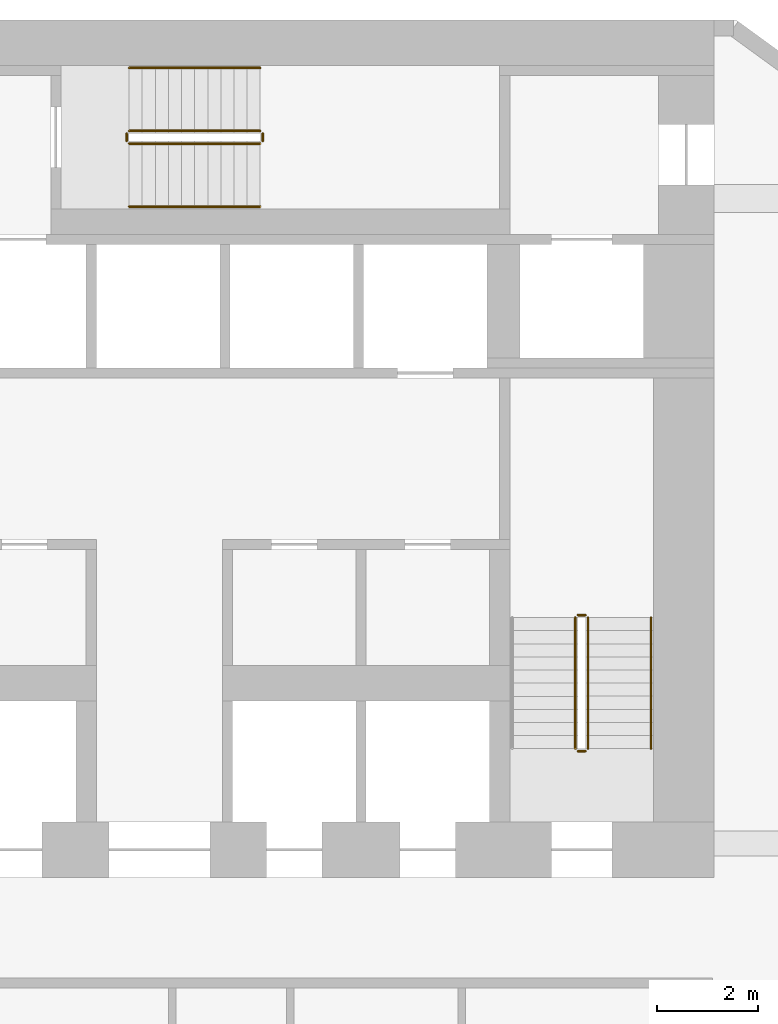
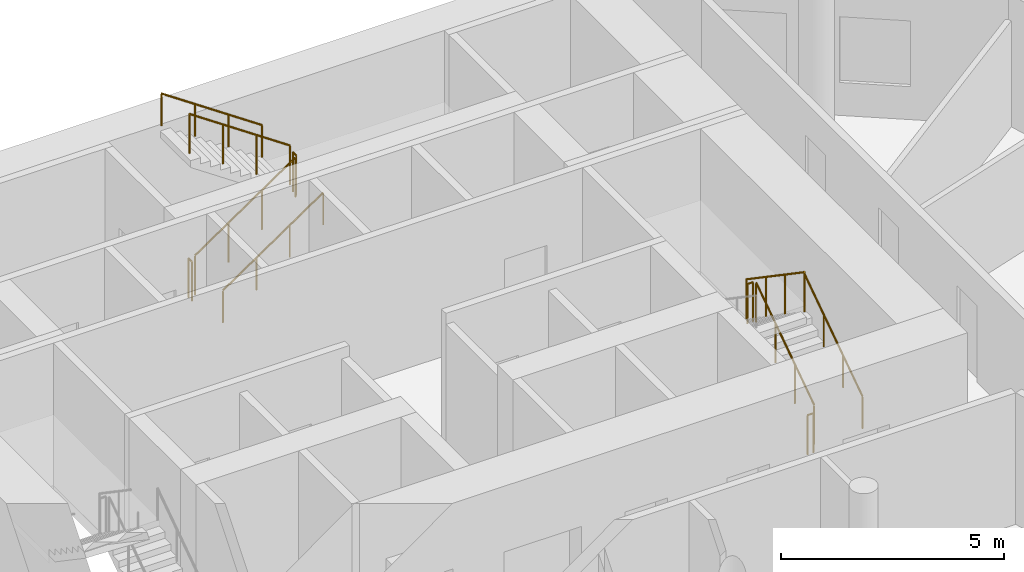
# One storey, part 9 of 9: 11 railings.
"""IFC4 building model written with IfcOpenShell, lengths in metres."""

import ifcopenshell
import ifcopenshell.guid

model = None  # the IFC model being written
_history = None  # IfcOwnerHistory: only IFC2X3 demands one
_inside = {}  # id of a spatial element -> (the spatial element, [elements in it])
_under = {}  # id of a project, library or spatial element -> (it, [spatial elements below it])
_declared = {}  # id of a project -> (the project, [libraries it declares])
_typed = {}  # id of a type object -> (the type object, [elements of that type])
_made_of = {}  # id of a material, layer set ... -> (it, [elements and type objects made of it])


def new_model(schema):
    """Start an empty IFC model of exactly this schema.

    Asked for "IFC4X3", IfcOpenShell would pick the latest addendum, in which some entities
    have other attributes; the version numbers below select the first issue.
    IFC2X3 requires an IfcOwnerHistory on every rooted entity: one is made here for all.
    """
    global model, _history
    if schema == "IFC4X3":
        model = ifcopenshell.file(schema_version=(4, 3, 0, 0))
    else:
        model = ifcopenshell.file(schema=schema)
    _inside.clear()
    _under.clear()
    _declared.clear()
    _typed.clear()
    _made_of.clear()
    _history = None
    if model.schema == "IFC2X3":
        org = make("IfcOrganization", Name="unknown")
        user = make(
            "IfcPersonAndOrganization",
            ThePerson=make("IfcPerson", FamilyName="unknown"),
            TheOrganization=org,
        )
        app = make(
            "IfcApplication",
            ApplicationDeveloper=org,
            Version="unknown",
            ApplicationFullName="unknown",
            ApplicationIdentifier="unknown",
        )
        _history = make(
            "IfcOwnerHistory",
            OwningUser=user,
            OwningApplication=app,
            ChangeAction="ADDED",
            CreationDate=0,
        )
    return model


def make(cls, **values):
    """One entity of the class cls with the attributes given. An attribute that is None is left unset."""
    return model.create_entity(
        cls, **{name: value for name, value in values.items() if value is not None}
    )


def rooted(cls, **values):
    """An entity with a GlobalId (a new one), such as an element, a storey or a relation."""
    return make(cls, GlobalId=ifcopenshell.guid.new(), OwnerHistory=_history, **values)


def si_unit(unit_type, name, prefix=None):
    """IfcSIUnit, for example si_unit("LENGTHUNIT", "METRE", prefix="MILLI")."""
    return make("IfcSIUnit", UnitType=unit_type, Prefix=prefix, Name=name)


def assignment(units):
    """IfcUnitAssignment: the units of a project."""
    return None if units is None else make("IfcUnitAssignment", Units=units)


def point(xyz):
    """IfcCartesianPoint."""
    return None if xyz is None else make("IfcCartesianPoint", Coordinates=xyz)


def direction(xyz):
    """IfcDirection."""
    return None if xyz is None else make("IfcDirection", DirectionRatios=xyz)


def frame(location, z_axis=None, x_axis=None):
    """IfcAxis2Placement3D, a coordinate frame: its origin and axes. An axis left out is left unset."""
    return make(
        "IfcAxis2Placement3D",
        Location=point(location),
        Axis=direction(z_axis),
        RefDirection=direction(x_axis),
    )


def frame_2d(location, x_axis=None):
    """IfcAxis2Placement2D, a coordinate frame in the plane: its origin and x axis."""
    return make(
        "IfcAxis2Placement2D", Location=point(location), RefDirection=direction(x_axis)
    )


def origin():
    """The frame at (0, 0, 0) with its axes left unset."""
    return frame((0.0, 0.0, 0.0))


def origin_2d():
    """The frame at (0, 0) in the plane with its x axis left unset."""
    return frame_2d((0.0, 0.0))


def place(relative_to, where):
    """IfcLocalPlacement: puts the frame where relative to a parent placement (None: the world)."""
    return make(
        "IfcLocalPlacement", PlacementRelTo=relative_to, RelativePlacement=where
    )


def context(
    kind, dimensions, precision=None, world=None, true_north=None, identifier=None
):
    """IfcGeometricRepresentationContext, for example the 3D "Model" context."""
    return make(
        "IfcGeometricRepresentationContext",
        ContextIdentifier=identifier,
        ContextType=kind,
        CoordinateSpaceDimension=dimensions,
        Precision=precision,
        WorldCoordinateSystem=world,
        TrueNorth=true_north,
    )


def subcontext(parent, identifier, kind, view, scale=None):
    """IfcGeometricRepresentationSubContext, for example "Body" below "Model"."""
    return make(
        "IfcGeometricRepresentationSubContext",
        ContextIdentifier=identifier,
        ContextType=kind,
        ParentContext=parent,
        TargetScale=scale,
        TargetView=view,
    )


def project(units=None, contexts=None):
    """IfcProject with its units and contexts."""
    return rooted(
        "IfcProject",
        Name="project",
        RepresentationContexts=contexts,
        UnitsInContext=assignment(units),
    )


def spatial(cls, under=None, at=None, **own):
    """A site, building, storey or space (cls), placed at a placement, below another one or the project."""
    s = rooted(cls, ObjectPlacement=at, **own)
    if under is not None:
        _under.setdefault(under.id(), (under, []))[1].append(s)
    return s


def profile(cls, at=None, kind="AREA", **sizes):
    """A parametric profile (cls). Its sizes go by their IFC names, for example OverallWidth=200.0."""
    return make(cls, ProfileType=kind, Position=at, **sizes)


def circle(**sizes):
    """IfcCircleProfileDef."""
    return profile("IfcCircleProfileDef", **sizes)


def extrude(swept, where, along, depth):
    """IfcExtrudedAreaSolid: the profile swept, set in the frame where, extruded along a direction by depth."""
    return make(
        "IfcExtrudedAreaSolid",
        SweptArea=swept,
        Position=where,
        ExtrudedDirection=direction(along),
        Depth=depth,
    )


def shape(context_of_items, identifier, shape_type, items):
    """IfcShapeRepresentation: the items that make up one representation, for example the "Body"."""
    return make(
        "IfcShapeRepresentation",
        ContextOfItems=context_of_items,
        RepresentationIdentifier=identifier,
        RepresentationType=shape_type,
        Items=items,
    )


def material(Name=None, Category=None):
    """IfcMaterial."""
    return make("IfcMaterial", Name=Name, Category=Category)


def made_of(thing, what):
    """Note that an element or type object is made of a material, layer set ...; save() writes the relation."""
    if what is not None:
        _made_of.setdefault(what.id(), (what, []))[1].append(thing)
    return thing


def type_object(cls, material=None, **own):
    """A type object (cls), such as IfcWallType, which elements share."""
    return made_of(rooted(cls, **own), material)


def element(
    cls,
    number,
    at=None,
    inside=None,
    cuts=None,
    type_object=None,
    material=None,
    context=None,
    identifier="Body",
    shape_type=None,
    held_by="IfcProductDefinitionShape",
    body=None,
    shapes=None,
    **own,
):
    """One element of the class cls, such as IfcWall. Its Tag is "e" and its number.

    at: its placement. inside: the storey or other place that contains it. cuts: it is an
    opening in that element (IfcRelVoidsElement). A single representation is given by context,
    identifier, shape_type and body (its items); several are given by shapes. held_by: the class
    of the entity that holds the representations. save() writes the other relations.
    """
    e = rooted(cls, Tag="e%d" % number, ObjectPlacement=at, **own)
    if body is not None:
        shapes = [shape(context, identifier, shape_type, body)]
    if shapes is not None:
        e.Representation = make(held_by, Representations=shapes)
    if inside is not None:
        _inside.setdefault(inside.id(), (inside, []))[1].append(e)
    if cuts is not None:
        rooted(
            "IfcRelVoidsElement", RelatingBuildingElement=cuts, RelatedOpeningElement=e
        )
    if type_object is not None:
        _typed.setdefault(type_object.id(), (type_object, []))[1].append(e)
    return made_of(e, material)


def aggregate(whole, parts):
    """IfcRelAggregates: a whole, such as a stair, and the parts it consists of."""
    return rooted("IfcRelAggregates", RelatingObject=whole, RelatedObjects=parts)


def save(model, path):
    """Write the relations noted so far, then the file.

    IfcRelAggregates (storeys below a building ...), IfcRelContainedInSpatialStructure (elements
    in a storey), IfcRelDefinesByType, IfcRelAssociatesMaterial and IfcRelDeclares: one each for
    every whole, place, type object, material and project.
    """
    for whole, parts in _under.values():
        aggregate(whole, parts)
    for where, things in _inside.values():
        rooted(
            "IfcRelContainedInSpatialStructure",
            RelatedElements=things,
            RelatingStructure=where,
        )
    for kind, things in _typed.values():
        rooted("IfcRelDefinesByType", RelatedObjects=things, RelatingType=kind)
    for what, things in _made_of.values():
        rooted("IfcRelAssociatesMaterial", RelatedObjects=things, RelatingMaterial=what)
    for by, libraries in _declared.values():
        rooted("IfcRelDeclares", RelatingContext=by, RelatedDefinitions=libraries)
    model.write(path)


model = new_model("IFC4")

# Units and contexts
model_context = context("Model", 3, precision=1e-05, world=origin(), true_north=direction((0.0, 1.0)))
body_context = subcontext(model_context, "Body", "Model", "MODEL_VIEW")
ifc_project = project(units=[si_unit("LENGTHUNIT", "METRE"), si_unit("AREAUNIT", "SQUARE_METRE"), si_unit("VOLUMEUNIT", "CUBIC_METRE"), si_unit("PLANEANGLEUNIT", "RADIAN"), si_unit("MASSUNIT", "GRAM", prefix="KILO")], contexts=[model_context])

# Site, building, storey
site_placement = place(None, origin())
site = spatial("IfcSite", under=ifc_project, at=site_placement, CompositionType="ELEMENT")
building_placement = place(site_placement, origin())
building = spatial("IfcBuilding", under=site, at=building_placement, Name="White Candle Pilgrim Tower", CompositionType="ELEMENT")
storey_placement = place(building_placement, frame((0.0, 0.0, 118.10009765625)))
storey = spatial("IfcBuildingStorey", under=building, at=storey_placement, Name="L26", CompositionType="ELEMENT", Elevation=118.10009765625)

# Railings
ifc_material = material(Name="Stainless steel", Category="steel")
railing_type_1 = type_object("IfcRailingType", Name="Stair guard stainless steel 1100 mm", PredefinedType="GUARDRAIL", material=ifc_material)
railing_1_placement = place(storey_placement, frame((78.5, 73.550048828125, 0.17724609375)))
element("IfcRailing", 1, at=railing_1_placement, inside=storey, type_object=railing_type_1, Name="L26 ST2 stair guard 1", PredefinedType="GUARDRAIL", context=body_context, shape_type="SweptSolid", body=[
    extrude(circle(Radius=0.02392578125, at=origin_2d()), frame((0.0, 0.0, 1.076171875), z_axis=(0.0, 0.826215852431, 0.563353676824), x_axis=(-1.0, 0.0, 0.0)), (0.0, 0.0, 1.0), 3.146728515625),
    extrude(circle(Radius=0.02099609375, at=origin_2d()), origin(), (0.0, 0.0, 1.0), 1.052001953125),
    extrude(circle(Radius=0.02099609375, at=origin_2d()), frame((0.0, 0.86669921875, 0.5908203125)), (0.0, 0.0, 1.0), 1.052001953125),
    extrude(circle(Radius=0.02099609375, at=origin_2d()), frame((0.0, 1.733154296875, 1.181884765625)), (0.0, 0.0, 1.0), 1.052001953125),
    extrude(circle(Radius=0.02099609375, at=origin_2d()), frame((0.0, 2.599853515625, 1.772705078125)), (0.0, 0.0, 1.0), 1.052001953125),
])
railing_2_placement = place(storey_placement, frame((78.449951171875, 76.199951171875, 1.949951171875)))
element("IfcRailing", 2, at=railing_2_placement, inside=storey, type_object=railing_type_1, Name="L26 ST2 stair guard 2", PredefinedType="GUARDRAIL", context=body_context, shape_type="SweptSolid", body=[
    extrude(circle(Radius=0.02392578125, at=origin_2d()), frame((0.0, 0.0, 1.076171875), z_axis=(-1.0, 0.0, 0.0), x_axis=(0.0, -1.0, 0.0)), (0.0, 0.0, 1.0), 0.14990234375),
    extrude(circle(Radius=0.02099609375, at=origin_2d()), origin(), (0.0, 0.0, 1.0), 1.052001953125),
    extrude(circle(Radius=0.02099609375, at=origin_2d()), frame((-0.14990234375, 0.0, 0.0)), (0.0, 0.0, 1.0), 1.052001953125),
])
railing_3_placement = place(storey_placement, frame((78.25, 76.14990234375, 2.127197265625)))
element("IfcRailing", 3, at=railing_3_placement, inside=storey, type_object=railing_type_1, Name="L26 ST2 stair guard 3", PredefinedType="GUARDRAIL", context=body_context, shape_type="SweptSolid", body=[
    extrude(circle(Radius=0.02392578125, at=origin_2d()), frame((0.0, 0.0, 1.076171875), z_axis=(0.0, -0.826215852431, 0.563353676824), x_axis=(1.0, 0.0, 0.0)), (0.0, 0.0, 1.0), 3.146728515625),
    extrude(circle(Radius=0.02099609375, at=origin_2d()), origin(), (0.0, 0.0, 1.0), 1.052001953125),
    extrude(circle(Radius=0.02099609375, at=origin_2d()), frame((0.0, -0.86669921875, 0.5908203125)), (0.0, 0.0, 1.0), 1.052001953125),
    extrude(circle(Radius=0.02099609375, at=origin_2d()), frame((0.0, -1.733154296875, 1.181884765625)), (0.0, 0.0, 1.0), 1.052001953125),
    extrude(circle(Radius=0.02099609375, at=origin_2d()), frame((0.0, -2.599853515625, 1.772705078125)), (0.0, 0.0, 1.0), 1.052001953125),
])
railing_4_placement = place(storey_placement, frame((78.449951171875, 73.5, 0.0)))
element("IfcRailing", 4, at=railing_4_placement, inside=storey, type_object=railing_type_1, Name="L26 ST2 stair guard 4", PredefinedType="GUARDRAIL", context=body_context, shape_type="SweptSolid", body=[
    extrude(circle(Radius=0.02392578125, at=origin_2d()), frame((0.0, 0.0, 1.076171875), z_axis=(-1.0, 0.0, 0.0), x_axis=(0.0, -1.0, 0.0)), (0.0, 0.0, 1.0), 0.14990234375),
    extrude(circle(Radius=0.02099609375, at=origin_2d()), origin(), (0.0, 0.0, 1.0), 1.052001953125),
    extrude(circle(Radius=0.02099609375, at=origin_2d()), frame((-0.14990234375, 0.0, 0.0)), (0.0, 0.0, 1.0), 1.052001953125),
])
railing_5_placement = place(storey_placement, frame((69.39990234375, 85.550048828125, 0.17724609375)))
element("IfcRailing", 5, at=railing_5_placement, inside=storey, type_object=railing_type_1, Name="L26 ST3 stair guard 1", PredefinedType="GUARDRAIL", context=body_context, shape_type="SweptSolid", body=[
    extrude(circle(Radius=0.02392578125, at=origin_2d()), frame((0.0, 0.0, 1.076171875), z_axis=(0.826240473404, 0.0, 0.563317565952), x_axis=(0.0, 1.0, 0.0)), (0.0, 0.0, 1.0), 3.14697265625),
    extrude(circle(Radius=0.02099609375, at=origin_2d()), origin(), (0.0, 0.0, 1.0), 1.052001953125),
    extrude(circle(Radius=0.02099609375, at=origin_2d()), frame((0.86669921875, 0.0, 0.5908203125)), (0.0, 0.0, 1.0), 1.052001953125),
    extrude(circle(Radius=0.02099609375, at=origin_2d()), frame((1.7333984375, 0.0, 1.181884765625)), (0.0, 0.0, 1.0), 1.052001953125),
    extrude(circle(Radius=0.02099609375, at=origin_2d()), frame((2.60009765625, 0.0, 1.772705078125)), (0.0, 0.0, 1.0), 1.052001953125),
])
railing_6_placement = place(storey_placement, frame((72.050048828125, 85.60009765625, 1.949951171875)))
element("IfcRailing", 6, at=railing_6_placement, inside=storey, type_object=railing_type_1, Name="L26 ST3 stair guard 2", PredefinedType="GUARDRAIL", context=body_context, shape_type="SweptSolid", body=[
    extrude(circle(Radius=0.02392578125, at=origin_2d()), frame((0.0, 0.0, 1.076171875), z_axis=(0.0, 1.0, 0.0), x_axis=(-1.0, 0.0, 0.0)), (0.0, 0.0, 1.0), 0.14990234375),
    extrude(circle(Radius=0.02099609375, at=origin_2d()), origin(), (0.0, 0.0, 1.0), 1.052001953125),
    extrude(circle(Radius=0.02099609375, at=origin_2d()), frame((0.0, 0.14990234375, 0.0)), (0.0, 0.0, 1.0), 1.052001953125),
])
railing_7_placement = place(storey_placement, frame((72.0, 85.800048828125, 2.127197265625)))
element("IfcRailing", 7, at=railing_7_placement, inside=storey, type_object=railing_type_1, Name="L26 ST3 stair guard 3", PredefinedType="GUARDRAIL", context=body_context, shape_type="SweptSolid", body=[
    extrude(circle(Radius=0.02392578125, at=origin_2d()), frame((0.0, 0.0, 1.076171875), z_axis=(-0.826240473404, 0.0, 0.563317565952), x_axis=(0.0, -1.0, 0.0)), (0.0, 0.0, 1.0), 3.14697265625),
    extrude(circle(Radius=0.02099609375, at=origin_2d()), origin(), (0.0, 0.0, 1.0), 1.052001953125),
    extrude(circle(Radius=0.02099609375, at=origin_2d()), frame((-0.86669921875, 0.0, 0.5908203125)), (0.0, 0.0, 1.0), 1.052001953125),
    extrude(circle(Radius=0.02099609375, at=origin_2d()), frame((-1.7333984375, 0.0, 1.181884765625)), (0.0, 0.0, 1.0), 1.052001953125),
    extrude(circle(Radius=0.02099609375, at=origin_2d()), frame((-2.60009765625, 0.0, 1.772705078125)), (0.0, 0.0, 1.0), 1.052001953125),
])
railing_8_placement = place(storey_placement, frame((69.35009765625, 85.60009765625, 0.0)))
element("IfcRailing", 8, at=railing_8_placement, inside=storey, type_object=railing_type_1, Name="L26 ST3 stair guard 4", PredefinedType="GUARDRAIL", context=body_context, shape_type="SweptSolid", body=[
    extrude(circle(Radius=0.02392578125, at=origin_2d()), frame((0.0, 0.0, 1.076171875), z_axis=(0.0, 1.0, 0.0), x_axis=(-1.0, 0.0, 0.0)), (0.0, 0.0, 1.0), 0.14990234375),
    extrude(circle(Radius=0.02099609375, at=origin_2d()), origin(), (0.0, 0.0, 1.0), 1.052001953125),
    extrude(circle(Radius=0.02099609375, at=origin_2d()), frame((0.0, 0.14990234375, 0.0)), (0.0, 0.0, 1.0), 1.052001953125),
])
railing_type_2 = type_object("IfcRailingType", Name="Stair handrail stainless steel", PredefinedType="HANDRAIL", material=ifc_material)
railing_9_placement = place(storey_placement, frame((79.75, 73.550048828125, 0.17724609375)))
element("IfcRailing", 9, at=railing_9_placement, inside=storey, type_object=railing_type_2, Name="L26 ST2 stair handrail 1", PredefinedType="HANDRAIL", context=body_context, shape_type="SweptSolid", body=[
    extrude(circle(Radius=0.02392578125, at=origin_2d()), frame((0.0, 0.0, 0.8759765625), z_axis=(0.0, 0.826215852431, 0.563353676824), x_axis=(-1.0, 0.0, 0.0)), (0.0, 0.0, 1.0), 3.146728515625),
    extrude(circle(Radius=0.02099609375, at=origin_2d()), origin(), (0.0, 0.0, 1.0), 0.851806640625),
    extrude(circle(Radius=0.02099609375, at=origin_2d()), frame((0.0, 0.86669921875, 0.5908203125)), (0.0, 0.0, 1.0), 0.851806640625),
    extrude(circle(Radius=0.02099609375, at=origin_2d()), frame((0.0, 1.733154296875, 1.181884765625)), (0.0, 0.0, 1.0), 0.851806640625),
    extrude(circle(Radius=0.02099609375, at=origin_2d()), frame((0.0, 2.599853515625, 1.772705078125)), (0.0, 0.0, 1.0), 0.851806640625),
])
railing_10_placement = place(storey_placement, frame((69.39990234375, 84.300048828125, 0.17724609375)))
element("IfcRailing", 10, at=railing_10_placement, inside=storey, type_object=railing_type_2, Name="L26 ST3 stair handrail 1", PredefinedType="HANDRAIL", context=body_context, shape_type="SweptSolid", body=[
    extrude(circle(Radius=0.02392578125, at=origin_2d()), frame((0.0, 0.0, 0.8759765625), z_axis=(0.826240473404, 0.0, 0.563317565952), x_axis=(0.0, 1.0, 0.0)), (0.0, 0.0, 1.0), 3.14697265625),
    extrude(circle(Radius=0.02099609375, at=origin_2d()), origin(), (0.0, 0.0, 1.0), 0.851806640625),
    extrude(circle(Radius=0.02099609375, at=origin_2d()), frame((0.86669921875, 0.0, 0.5908203125)), (0.0, 0.0, 1.0), 0.851806640625),
    extrude(circle(Radius=0.02099609375, at=origin_2d()), frame((1.7333984375, 0.0, 1.181884765625)), (0.0, 0.0, 1.0), 0.851806640625),
    extrude(circle(Radius=0.02099609375, at=origin_2d()), frame((2.60009765625, 0.0, 1.772705078125)), (0.0, 0.0, 1.0), 0.851806640625),
])
railing_11_placement = place(storey_placement, frame((72.0, 87.050048828125, 2.127197265625)))
element("IfcRailing", 11, at=railing_11_placement, inside=storey, type_object=railing_type_2, Name="L26 ST3 stair handrail 2", PredefinedType="HANDRAIL", context=body_context, shape_type="SweptSolid", body=[
    extrude(circle(Radius=0.02392578125, at=origin_2d()), frame((0.0, 0.0, 0.8759765625), z_axis=(-0.826240473404, 0.0, 0.563317565952), x_axis=(0.0, -1.0, 0.0)), (0.0, 0.0, 1.0), 3.14697265625),
    extrude(circle(Radius=0.02099609375, at=origin_2d()), origin(), (0.0, 0.0, 1.0), 0.851806640625),
    extrude(circle(Radius=0.02099609375, at=origin_2d()), frame((-0.86669921875, 0.0, 0.5908203125)), (0.0, 0.0, 1.0), 0.851806640625),
    extrude(circle(Radius=0.02099609375, at=origin_2d()), frame((-1.7333984375, 0.0, 1.181884765625)), (0.0, 0.0, 1.0), 0.851806640625),
    extrude(circle(Radius=0.02099609375, at=origin_2d()), frame((-2.60009765625, 0.0, 1.772705078125)), (0.0, 0.0, 1.0), 0.851806640625),
])

save(model, "model.ifc")
